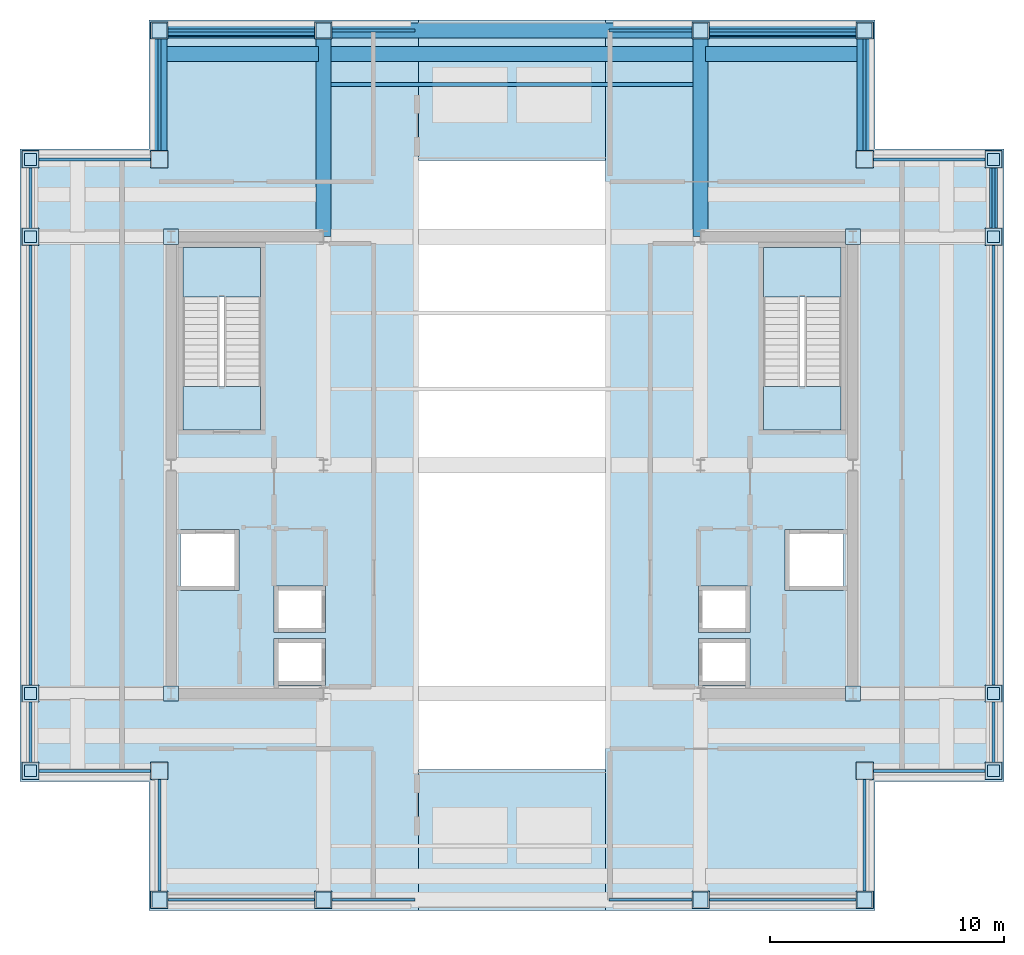
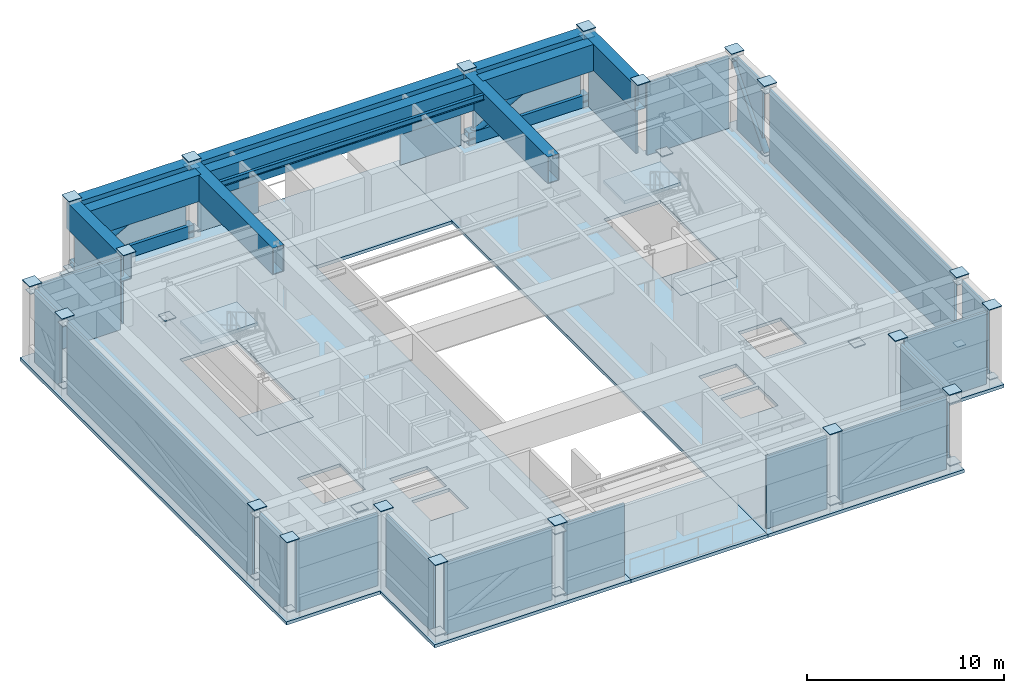
# One storey, part 2 of 8: 70 plates, 11 beams, 8 slabs, 5 members, 2 elements without a shape of their own.
"""IFC4 building model written with IfcOpenShell, lengths in metres."""

from ifc_helpers import new_model, si_unit, direction, frame, origin, origin_2d, place, context, subcontext, project, spatial, polyline, rectangle, hollow_rectangle, hollow_circle, i_section, outline, extrude, material, layer, layer_set, material_profile, profile_set, type_object, element, aggregate, save


model = new_model("IFC4")

# Units and contexts
model_context = context("Model", 3, precision=1e-05, world=origin(), true_north=direction((0.0, 1.0)))
body_context = subcontext(model_context, "Body", "Model", "MODEL_VIEW")
ifc_project = project(units=[si_unit("LENGTHUNIT", "METRE"), si_unit("AREAUNIT", "SQUARE_METRE"), si_unit("VOLUMEUNIT", "CUBIC_METRE"), si_unit("PLANEANGLEUNIT", "RADIAN"), si_unit("MASSUNIT", "GRAM", prefix="KILO")], contexts=[model_context])

# Site, building, storey
site_placement = place(None, origin())
site = spatial("IfcSite", under=ifc_project, at=site_placement, CompositionType="ELEMENT")
building_placement = place(site_placement, origin())
building = spatial("IfcBuilding", under=site, at=building_placement, Name="Brelmoor Portico Tower", CompositionType="ELEMENT")
storey_placement = place(building_placement, frame((0.0, 0.0, 209.10009765625)))
storey = spatial("IfcBuildingStorey", under=building, at=storey_placement, Name="L55", CompositionType="ELEMENT", Elevation=209.10009765625)

# Beams
ifc_material_1 = material(Name="Steel Q355B", Category="steel")
ifc_material_profile_1 = material_profile(ifc_material_1, i_section(OverallWidth=0.175048828125, OverallDepth=0.35009765625, WebThickness=0.007080078125, FlangeThickness=0.010986328125, at=origin_2d()), Name="HN 350x175x7x11")
ifc_profile_set_1 = profile_set([ifc_material_profile_1], Name="Steel Q355B")
beam_type_1 = type_object("IfcBeamType", Name="BM-JS-350", PredefinedType="JOIST", material=ifc_profile_set_1)
beam_1_placement = place(storey_placement, frame((-7.72509765625, 16.25, 4.4248046875), z_axis=(1.0, 0.0, 0.0), x_axis=(0.0, 1.0, 0.0)))
element("IfcBeam", 1, at=beam_1_placement, inside=storey, type_object=beam_type_1, Name="L55 Secondary Composite Joist JS-C04", PredefinedType="JOIST", context=body_context, shape_type="SweptSolid", body=[
    extrude(i_section(OverallWidth=0.175048828125, OverallDepth=0.35009765625, WebThickness=0.007080078125, FlangeThickness=0.010986328125, at=origin_2d()), origin(), (0.0, 0.0, 1.0), 15.4501953125),
])
ifc_material_profile_2 = material_profile(ifc_material_1, hollow_rectangle(XDim=0.64990234375, YDim=1.639892578125, WallThickness=0.035888671875, at=origin_2d()), Name="BOX 650x1640x36")
ifc_profile_set_2 = profile_set([ifc_material_profile_2], Name="Steel Q355B")
beam_type_2 = type_object("IfcBeamType", Name="BM-TG-Z4", PredefinedType="BEAM", material=ifc_profile_set_2)
beam_2_placement = place(storey_placement, frame((-15.050048828125, 18.550048828125, 3.77978515625), z_axis=(1.0, 0.0, 0.0), x_axis=(0.0, 1.0, 0.0)))
element("IfcBeam", 2, at=beam_2_placement, inside=storey, type_object=beam_type_2, Name="L55 Perimeter Transfer Beam SP-08", PredefinedType="BEAM", context=body_context, shape_type="SweptSolid", body=[
    extrude(hollow_rectangle(XDim=0.64990234375, YDim=1.639892578125, WallThickness=0.035888671875, at=origin_2d()), origin(), (0.0, 0.0, 1.0), 7.0),
])
beam_3_placement = place(storey_placement, frame((-8.050048828125, 18.550048828125, 3.77978515625), z_axis=(1.0, 0.0, 0.0), x_axis=(0.0, 1.0, 0.0)))
element("IfcBeam", 3, at=beam_3_placement, inside=storey, type_object=beam_type_2, Name="L55 Perimeter Transfer Beam SP-09", PredefinedType="BEAM", context=body_context, shape_type="SweptSolid", body=[
    extrude(hollow_rectangle(XDim=0.64990234375, YDim=1.639892578125, WallThickness=0.035888671875, at=origin_2d()), origin(), (0.0, 0.0, 1.0), 16.10009765625),
])
beam_4_placement = place(storey_placement, frame((8.050048828125, 18.550048828125, 3.77978515625), z_axis=(1.0, 0.0, 0.0), x_axis=(0.0, 1.0, 0.0)))
element("IfcBeam", 4, at=beam_4_placement, inside=storey, type_object=beam_type_2, Name="L55 Perimeter Transfer Beam SP-10", PredefinedType="BEAM", context=body_context, shape_type="SweptSolid", body=[
    extrude(hollow_rectangle(XDim=0.64990234375, YDim=1.639892578125, WallThickness=0.035888671875, at=origin_2d()), origin(), (0.0, 0.0, 1.0), 7.0),
])
for number, where, z_axis, x_axis, name in (
    (5, (-15.050048828125, 13.050048828125, 3.77978515625), (0.0, 1.0, 0.0), (-1.0, 0.0, 0.0), "L55 Perimeter Transfer Beam SP-15"),
    (6, (15.050048828125, 13.050048828125, 3.77978515625), (0.0, 1.0, 0.0), (-1.0, 0.0, 0.0), "L55 Perimeter Transfer Beam SP-17"),
):
    element("IfcBeam", number, at=place(storey_placement, frame(where, z_axis=z_axis, x_axis=x_axis)), inside=storey, type_object=beam_type_2, Name=name, PredefinedType="BEAM", context=body_context, shape_type="SweptSolid", body=[
        extrude(hollow_rectangle(XDim=0.64990234375, YDim=1.639892578125, WallThickness=0.035888671875, at=origin_2d()), origin(), (0.0, 0.0, 1.0), 5.5),
    ])
for number, where, z_axis, x_axis, name in (
    (7, (-8.050048828125, 9.75, 3.77978515625), (0.0, 1.0, 0.0), (-1.0, 0.0, 0.0), "L55 Setback Transfer Girder PG-05"),
    (8, (8.050048828125, 9.75, 3.77978515625), (0.0, 1.0, 0.0), (-1.0, 0.0, 0.0), "L55 Setback Transfer Girder PG-08"),
):
    element("IfcBeam", number, at=place(storey_placement, frame(where, z_axis=z_axis, x_axis=x_axis)), inside=storey, type_object=beam_type_2, Name=name, PredefinedType="BEAM", context=body_context, shape_type="SweptSolid", body=[
        extrude(hollow_rectangle(XDim=0.64990234375, YDim=1.639892578125, WallThickness=0.035888671875, at=origin_2d()), origin(), (0.0, 0.0, 1.0), 8.800048828125),
    ])
beam_5_placement = place(storey_placement, frame((-15.050048828125, 17.550048828125, 3.77978515625), z_axis=(1.0, 0.0, 0.0), x_axis=(0.0, 1.0, 0.0)))
element("IfcBeam", 9, at=beam_5_placement, inside=storey, type_object=beam_type_2, Name="L55 Setback Transfer Girder TGN-04", PredefinedType="BEAM", context=body_context, shape_type="SweptSolid", body=[
    extrude(hollow_rectangle(XDim=0.64990234375, YDim=1.639892578125, WallThickness=0.035888671875, at=origin_2d()), origin(), (0.0, 0.0, 1.0), 6.800048828125),
])
beam_6_placement = place(storey_placement, frame((-7.85009765625, 17.550048828125, 3.77978515625), z_axis=(1.0, 0.0, 0.0), x_axis=(0.0, 1.0, 0.0)))
element("IfcBeam", 10, at=beam_6_placement, inside=storey, type_object=beam_type_2, Name="L55 Setback Transfer Girder TGN-05", PredefinedType="BEAM", context=body_context, shape_type="SweptSolid", body=[
    extrude(hollow_rectangle(XDim=0.64990234375, YDim=1.639892578125, WallThickness=0.035888671875, at=origin_2d()), origin(), (0.0, 0.0, 1.0), 15.7001953125),
])
beam_7_placement = place(storey_placement, frame((8.25, 17.550048828125, 3.77978515625), z_axis=(1.0, 0.0, 0.0), x_axis=(0.0, 1.0, 0.0)))
element("IfcBeam", 11, at=beam_7_placement, inside=storey, type_object=beam_type_2, Name="L55 Setback Transfer Girder TGN-06", PredefinedType="BEAM", context=body_context, shape_type="SweptSolid", body=[
    extrude(hollow_rectangle(XDim=0.64990234375, YDim=1.639892578125, WallThickness=0.035888671875, at=origin_2d()), origin(), (0.0, 0.0, 1.0), 6.800048828125),
])

# Members
ifc_material_profile_3 = material_profile(ifc_material_1, hollow_rectangle(XDim=0.5, YDim=0.75, WallThickness=0.030029296875, at=origin_2d()), Name="RHS 500x750x30")
ifc_profile_set_3 = profile_set([ifc_material_profile_3], Name="Steel Q355B")
member_type_1 = type_object("IfcMemberType", Name="MB-BELT-CHORD", PredefinedType="CHORD", material=ifc_profile_set_3)
for number, where, z_axis, x_axis, name in (
    (12, (-15.050048828125, 18.550048828125, 0.39990234375), (1.0, 0.0, 0.0), (0.0, 1.0, 0.0), "L55 Belt Truss Bottom Chord BC-03"),
    (13, (8.050048828125, 18.550048828125, 0.39990234375), (1.0, 0.0, 0.0), (0.0, 1.0, 0.0), "L55 Belt Truss Bottom Chord BC-04"),
):
    element("IfcMember", number, at=place(storey_placement, frame(where, z_axis=z_axis, x_axis=x_axis)), inside=storey, type_object=member_type_1, Name=name, PredefinedType="CHORD", context=body_context, shape_type="SweptSolid", body=[
        extrude(hollow_rectangle(XDim=0.5, YDim=0.75, WallThickness=0.030029296875, at=origin_2d()), origin(), (0.0, 0.0, 1.0), 7.0),
    ])
ifc_material_profile_4 = material_profile(ifc_material_1, hollow_circle(Radius=0.212890625, WallThickness=0.02001953125, at=origin_2d()), Name="CHS 426x20")
ifc_profile_set_4 = profile_set([ifc_material_profile_4], Name="Steel Q355B")
member_type_2 = type_object("IfcMemberType", Name="MB-BELT-DIAG1", PredefinedType="BRACE", material=ifc_profile_set_4)
for number, where, z_axis, x_axis, name in (
    (14, (-15.050048828125, 18.550048828125, 0.39990234375), (0.876210746893, 0.0, 0.481928134714), (0.0, 1.0, 0.0), "L55 Belt Truss Diagonal BT-03A"),
    (15, (8.050048828125, 18.550048828125, 0.39990234375), (0.876210746893, 0.0, 0.481928134714), (0.0, 1.0, 0.0), "L55 Belt Truss Diagonal BT-04A"),
):
    element("IfcMember", number, at=place(storey_placement, frame(where, z_axis=z_axis, x_axis=x_axis)), inside=storey, type_object=member_type_2, Name=name, PredefinedType="BRACE", context=body_context, shape_type="SweptSolid", body=[
        extrude(hollow_circle(Radius=0.212890625, WallThickness=0.02001953125, at=origin_2d()), origin(), (0.0, 0.0, 1.0), 7.989013671875),
    ])
ifc_material_profile_5 = material_profile(ifc_material_1, hollow_circle(Radius=0.177978515625, WallThickness=0.01611328125, at=origin_2d()), Name="CHS 356x16")
ifc_profile_set_5 = profile_set([ifc_material_profile_5], Name="Steel Q355B")
member_type_3 = type_object("IfcMemberType", Name="MB-BELT-DIAG2", PredefinedType="BRACE", material=ifc_profile_set_5)
member_placement = place(storey_placement, frame((20.550048828125, 9.75, 0.39990234375), z_axis=(0.0, 0.650787408495, 0.759260000885), x_axis=(-1.0, 0.0, 0.0)))
element("IfcMember", 16, at=member_placement, inside=storey, type_object=member_type_3, Name="L55 Belt Truss Diagonal BT-10B", PredefinedType="BRACE", context=body_context, shape_type="SweptSolid", body=[
    extrude(hollow_circle(Radius=0.177978515625, WallThickness=0.01611328125, at=origin_2d()), origin(), (0.0, 0.0, 1.0), 5.07080078125),
])

# Plates
ifc_layer_1 = layer(ifc_material_1, 0.035888671875)
ifc_layer_set_1 = layer_set([ifc_layer_1], Name="Steel Q355B")
plate_type_1 = type_object("IfcPlateType", Name="PT-CAP-500", PredefinedType="SHEET", material=ifc_layer_set_1)
for number, where, z_axis, x_axis, name in (
    (17, (-20.550048828125, -13.050048828125, 0.3818359375), (0.0, 0.0, 1.0), (1.0, 0.0, 0.0), "L55 Belt Truss Diagonal BT-05B Joint Cap Plate 1"),
    (18, (-20.550048828125, -9.75, 4.23193359375), (0.0, 0.0, 1.0), (1.0, 0.0, 0.0), "L55 Belt Truss Diagonal BT-05B Joint Cap Plate 2"),
    (19, (-20.550048828125, -9.75, 0.3818359375), (0.0, 0.0, 1.0), (1.0, 0.0, 0.0), "L55 Belt Truss Diagonal BT-06B Joint Cap Plate 1"),
    (20, (-20.550048828125, 9.75, 4.23193359375), (0.0, 0.0, 1.0), (1.0, 0.0, 0.0), "L55 Belt Truss Diagonal BT-06B Joint Cap Plate 2"),
    (21, (-20.550048828125, 9.75, 0.3818359375), (0.0, 0.0, 1.0), (1.0, 0.0, 0.0), "L55 Belt Truss Diagonal BT-07B Joint Cap Plate 1"),
    (22, (-20.550048828125, 13.050048828125, 4.23193359375), (0.0, 0.0, 1.0), (1.0, 0.0, 0.0), "L55 Belt Truss Diagonal BT-07B Joint Cap Plate 2"),
    (23, (20.550048828125, -13.050048828125, 0.3818359375), (0.0, 0.0, 1.0), (1.0, 0.0, 0.0), "L55 Belt Truss Diagonal BT-08B Joint Cap Plate 1"),
    (24, (20.550048828125, -9.75, 4.23193359375), (0.0, 0.0, 1.0), (1.0, 0.0, 0.0), "L55 Belt Truss Diagonal BT-08B Joint Cap Plate 2"),
    (25, (20.550048828125, -9.75, 0.3818359375), (0.0, 0.0, 1.0), (1.0, 0.0, 0.0), "L55 Belt Truss Diagonal BT-09B Joint Cap Plate 1"),
    (26, (20.550048828125, 9.75, 4.23193359375), (0.0, 0.0, 1.0), (1.0, 0.0, 0.0), "L55 Belt Truss Diagonal BT-09B Joint Cap Plate 2"),
    (27, (20.550048828125, 9.75, 0.3818359375), (0.0, 0.0, 1.0), (1.0, 0.0, 0.0), "L55 Belt Truss Diagonal BT-10B Joint Cap Plate 1"),
    (28, (20.550048828125, 13.050048828125, 4.23193359375), (0.0, 0.0, 1.0), (1.0, 0.0, 0.0), "L55 Belt Truss Diagonal BT-10B Joint Cap Plate 2"),
):
    element("IfcPlate", number, at=place(storey_placement, frame(where, z_axis=z_axis, x_axis=x_axis)), inside=storey, type_object=plate_type_1, Name=name, PredefinedType="SHEET", context=body_context, shape_type="SweptSolid", body=[
        extrude(rectangle(XDim=0.5, YDim=0.5, at=origin_2d()), origin(), (0.0, 0.0, 1.0), 0.035888671875),
    ])
ifc_layer_2 = layer(ifc_material_1, 0.044921875)
ifc_layer_set_2 = layer_set([ifc_layer_2], Name="Steel Q355B")
plate_type_2 = type_object("IfcPlateType", Name="PT-CAP-650", PredefinedType="SHEET", material=ifc_layer_set_2)
for number, where, z_axis, x_axis, name in (
    (29, (-15.050048828125, -18.550048828125, 4.7998046875), (0.0, 0.0, 1.0), (1.0, 0.0, 0.0), "L55 Perimeter Mega-Column PS01 Welded Head Cap Plate"),
    (30, (-8.050048828125, -18.550048828125, 4.7998046875), (0.0, 0.0, 1.0), (1.0, 0.0, 0.0), "L55 Perimeter Mega-Column PS02 Welded Head Cap Plate"),
    (31, (8.050048828125, -18.550048828125, 4.7998046875), (0.0, 0.0, 1.0), (1.0, 0.0, 0.0), "L55 Perimeter Mega-Column PS03 Welded Head Cap Plate"),
    (32, (15.050048828125, -18.550048828125, 4.7998046875), (0.0, 0.0, 1.0), (1.0, 0.0, 0.0), "L55 Perimeter Mega-Column PS04 Welded Head Cap Plate"),
    (33, (-15.050048828125, 18.550048828125, 4.7998046875), (0.0, 0.0, 1.0), (1.0, 0.0, 0.0), "L55 Perimeter Mega-Column PN01 Welded Head Cap Plate"),
    (34, (-8.050048828125, 18.550048828125, 4.7998046875), (0.0, 0.0, 1.0), (1.0, 0.0, 0.0), "L55 Perimeter Mega-Column PN02 Welded Head Cap Plate"),
    (35, (8.050048828125, 18.550048828125, 4.7998046875), (0.0, 0.0, 1.0), (1.0, 0.0, 0.0), "L55 Perimeter Mega-Column PN03 Welded Head Cap Plate"),
    (36, (15.050048828125, 18.550048828125, 4.7998046875), (0.0, 0.0, 1.0), (1.0, 0.0, 0.0), "L55 Perimeter Mega-Column PN04 Welded Head Cap Plate"),
    (37, (-20.550048828125, -13.050048828125, 4.7998046875), (0.0, 0.0, 1.0), (0.0, 1.0, 0.0), "L55 Perimeter Mega-Column PW01 Welded Head Cap Plate"),
    (38, (-20.550048828125, -9.75, 4.7998046875), (0.0, 0.0, 1.0), (0.0, 1.0, 0.0), "L55 Perimeter Mega-Column PW02 Welded Head Cap Plate"),
    (39, (-20.550048828125, 9.75, 4.7998046875), (0.0, 0.0, 1.0), (0.0, 1.0, 0.0), "L55 Perimeter Mega-Column PW03 Welded Head Cap Plate"),
    (40, (-20.550048828125, 13.050048828125, 4.7998046875), (0.0, 0.0, 1.0), (0.0, 1.0, 0.0), "L55 Perimeter Mega-Column PW04 Welded Head Cap Plate"),
    (41, (20.550048828125, -13.050048828125, 4.7998046875), (0.0, 0.0, 1.0), (0.0, 1.0, 0.0), "L55 Perimeter Mega-Column PE01 Welded Head Cap Plate"),
    (42, (20.550048828125, -9.75, 4.7998046875), (0.0, 0.0, 1.0), (0.0, 1.0, 0.0), "L55 Perimeter Mega-Column PE02 Welded Head Cap Plate"),
    (43, (20.550048828125, 9.75, 4.7998046875), (0.0, 0.0, 1.0), (0.0, 1.0, 0.0), "L55 Perimeter Mega-Column PE03 Welded Head Cap Plate"),
    (44, (20.550048828125, 13.050048828125, 4.7998046875), (0.0, 0.0, 1.0), (0.0, 1.0, 0.0), "L55 Perimeter Mega-Column PE04 Welded Head Cap Plate"),
    (45, (-15.050048828125, 13.050048828125, 4.7998046875), (0.0, 0.0, 1.0), (1.0, 0.0, 0.0), "L55 Perimeter Mega-Column PC-NW Welded Head Cap Plate"),
    (46, (15.050048828125, 13.050048828125, 4.7998046875), (0.0, 0.0, 1.0), (1.0, 0.0, 0.0), "L55 Perimeter Mega-Column PC-NE Welded Head Cap Plate"),
    (47, (15.050048828125, -13.050048828125, 4.7998046875), (0.0, 0.0, 1.0), (1.0, 0.0, 0.0), "L55 Perimeter Mega-Column PC-SE Welded Head Cap Plate"),
    (48, (-15.050048828125, -13.050048828125, 4.7998046875), (0.0, 0.0, 1.0), (1.0, 0.0, 0.0), "L55 Perimeter Mega-Column PC-SW Welded Head Cap Plate"),
):
    element("IfcPlate", number, at=place(storey_placement, frame(where, z_axis=z_axis, x_axis=x_axis)), inside=storey, type_object=plate_type_2, Name=name, PredefinedType="SHEET", context=body_context, shape_type="SweptSolid", body=[
        extrude(rectangle(XDim=0.739990234375, YDim=0.739990234375, at=origin_2d()), origin(), (0.0, 0.0, 1.0), 0.0400390625),
    ])
for number, where, z_axis, x_axis, name in (
    (49, (-15.050048828125, -18.550048828125, 0.37744140625), (0.0, 0.0, 1.0), (1.0, 0.0, 0.0), "L55 Belt Truss Diagonal BT-01A Joint Cap Plate 1"),
    (50, (-8.050048828125, -18.550048828125, 4.2275390625), (0.0, 0.0, 1.0), (1.0, 0.0, 0.0), "L55 Belt Truss Diagonal BT-01A Joint Cap Plate 2"),
    (51, (-8.050048828125, -18.550048828125, 0.37744140625), (0.0, 0.0, 1.0), (1.0, 0.0, 0.0), "L55 Belt Truss Bottom Chord BC-01 Joint Cap Plate 2"),
    (52, (8.050048828125, -18.550048828125, 0.37744140625), (0.0, 0.0, 1.0), (1.0, 0.0, 0.0), "L55 Belt Truss Diagonal BT-02A Joint Cap Plate 1"),
    (53, (15.050048828125, -18.550048828125, 4.2275390625), (0.0, 0.0, 1.0), (1.0, 0.0, 0.0), "L55 Belt Truss Diagonal BT-02A Joint Cap Plate 2"),
    (54, (15.050048828125, -18.550048828125, 0.37744140625), (0.0, 0.0, 1.0), (1.0, 0.0, 0.0), "L55 Belt Truss Bottom Chord BC-02 Joint Cap Plate 2"),
    (55, (-15.050048828125, 18.550048828125, 0.37744140625), (0.0, 0.0, 1.0), (1.0, 0.0, 0.0), "L55 Belt Truss Diagonal BT-03A Joint Cap Plate 1"),
    (56, (-8.050048828125, 18.550048828125, 4.2275390625), (0.0, 0.0, 1.0), (1.0, 0.0, 0.0), "L55 Belt Truss Diagonal BT-03A Joint Cap Plate 2"),
    (57, (-8.050048828125, 18.550048828125, 0.37744140625), (0.0, 0.0, 1.0), (1.0, 0.0, 0.0), "L55 Belt Truss Bottom Chord BC-03 Joint Cap Plate 2"),
    (58, (8.050048828125, 18.550048828125, 0.37744140625), (0.0, 0.0, 1.0), (1.0, 0.0, 0.0), "L55 Belt Truss Diagonal BT-04A Joint Cap Plate 1"),
    (59, (15.050048828125, 18.550048828125, 4.2275390625), (0.0, 0.0, 1.0), (1.0, 0.0, 0.0), "L55 Belt Truss Diagonal BT-04A Joint Cap Plate 2"),
    (60, (15.050048828125, 18.550048828125, 0.37744140625), (0.0, 0.0, 1.0), (1.0, 0.0, 0.0), "L55 Belt Truss Bottom Chord BC-04 Joint Cap Plate 2"),
    (61, (-14.550048828125, -9.75, 2.52734375), (0.0, 0.0, 1.0), (1.0, 0.0, 0.0), "L55 Outrigger Truss Diagonal OT-01 Joint Cap Plate 1"),
    (62, (14.550048828125, -9.75, 2.52734375), (0.0, 0.0, 1.0), (1.0, 0.0, 0.0), "L55 Outrigger Truss Diagonal OT-02 Joint Cap Plate 1"),
    (63, (-14.550048828125, 9.75, 2.52734375), (0.0, 0.0, 1.0), (1.0, 0.0, 0.0), "L55 Outrigger Truss Diagonal OT-03 Joint Cap Plate 1"),
    (64, (14.550048828125, 9.75, 2.52734375), (0.0, 0.0, 1.0), (1.0, 0.0, 0.0), "L55 Outrigger Truss Diagonal OT-04 Joint Cap Plate 1"),
):
    element("IfcPlate", number, at=place(storey_placement, frame(where, z_axis=z_axis, x_axis=x_axis)), inside=storey, type_object=plate_type_2, Name=name, PredefinedType="SHEET", context=body_context, shape_type="SweptSolid", body=[
        extrude(rectangle(XDim=0.64990234375, YDim=0.64990234375, at=origin_2d()), origin(), (0.0, 0.0, 1.0), 0.044921875),
    ])
ifc_material_2 = material(Name="Pale Champagne Anodised Aluminium Crown Screen", Category="aluminium")
ifc_layer_3 = layer(ifc_material_2, 0.06494140625)
ifc_layer_set_3 = layer_set([ifc_layer_3], Name="Pale Champagne Anodised Aluminium Crown Screen")
plate_type_3 = type_object("IfcPlateType", Name="PT-CROWN-LOUVRE", PredefinedType="SHEET", material=ifc_layer_set_3)
plate_1_placement = place(storey_placement, frame((-11.550048828125, -18.550048828125, 0.059814453125), z_axis=(0.0, 0.0, 1.0), x_axis=(1.0, 0.0, 0.0)))
element("IfcPlate", 65, at=plate_1_placement, inside=storey, type_object=plate_type_3, Name="L55 Plant Acoustic Screen Panel S1-1", PredefinedType="SHEET", context=body_context, shape_type="SweptSolid", body=[
    extrude(rectangle(XDim=6.280029296875, YDim=0.1201171875, at=origin_2d()), origin(), (0.0, 0.0, 1.0), 4.47998046875),
])
for number, where, z_axis, x_axis, name in (
    (66, (-5.919921875, -18.550048828125, 0.059814453125), (0.0, 0.0, 1.0), (1.0, 0.0, 0.0), "L55 Plant Acoustic Screen Panel S1-2"),
    (67, (5.919921875, -18.550048828125, 0.059814453125), (0.0, 0.0, 1.0), (1.0, 0.0, 0.0), "L55 Plant Acoustic Screen Panel S2-1"),
):
    element("IfcPlate", number, at=place(storey_placement, frame(where, z_axis=z_axis, x_axis=x_axis)), inside=storey, type_object=plate_type_3, Name=name, PredefinedType="SHEET", context=body_context, shape_type="SweptSolid", body=[
        extrude(rectangle(XDim=3.5400390625, YDim=0.1201171875, at=origin_2d()), origin(), (0.0, 0.0, 1.0), 4.47998046875),
    ])
for number, where, z_axis, x_axis, name in (
    (68, (11.550048828125, -18.550048828125, 0.059814453125), (0.0, 0.0, 1.0), (1.0, 0.0, 0.0), "L55 Plant Acoustic Screen Panel S2-2"),
    (69, (-11.550048828125, 18.550048828125, 0.059814453125), (0.0, 0.0, 1.0), (1.0, 0.0, 0.0), "L55 Plant Acoustic Screen Panel N1-1"),
):
    element("IfcPlate", number, at=place(storey_placement, frame(where, z_axis=z_axis, x_axis=x_axis)), inside=storey, type_object=plate_type_3, Name=name, PredefinedType="SHEET", context=body_context, shape_type="SweptSolid", body=[
        extrude(rectangle(XDim=6.280029296875, YDim=0.1201171875, at=origin_2d()), origin(), (0.0, 0.0, 1.0), 4.47998046875),
    ])
for number, where, z_axis, x_axis, name in (
    (70, (-5.919921875, 18.550048828125, 0.059814453125), (0.0, 0.0, 1.0), (1.0, 0.0, 0.0), "L55 Plant Acoustic Screen Panel N1-2"),
    (71, (5.919921875, 18.550048828125, 0.059814453125), (0.0, 0.0, 1.0), (1.0, 0.0, 0.0), "L55 Plant Acoustic Screen Panel N2-1"),
):
    element("IfcPlate", number, at=place(storey_placement, frame(where, z_axis=z_axis, x_axis=x_axis)), inside=storey, type_object=plate_type_3, Name=name, PredefinedType="SHEET", context=body_context, shape_type="SweptSolid", body=[
        extrude(rectangle(XDim=3.5400390625, YDim=0.1201171875, at=origin_2d()), origin(), (0.0, 0.0, 1.0), 4.47998046875),
    ])
plate_2_placement = place(storey_placement, frame((11.550048828125, 18.550048828125, 0.059814453125), z_axis=(0.0, 0.0, 1.0), x_axis=(1.0, 0.0, 0.0)))
element("IfcPlate", 72, at=plate_2_placement, inside=storey, type_object=plate_type_3, Name="L55 Plant Acoustic Screen Panel N2-2", PredefinedType="SHEET", context=body_context, shape_type="SweptSolid", body=[
    extrude(rectangle(XDim=6.280029296875, YDim=0.1201171875, at=origin_2d()), origin(), (0.0, 0.0, 1.0), 4.47998046875),
])
plate_3_placement = place(storey_placement, frame((-20.550048828125, -11.39990234375, 0.059814453125), z_axis=(0.0, 0.0, 1.0), x_axis=(0.0, 1.0, 0.0)))
element("IfcPlate", 73, at=plate_3_placement, inside=storey, type_object=plate_type_3, Name="L55 Plant Acoustic Screen Panel W-1", PredefinedType="SHEET", context=body_context, shape_type="SweptSolid", body=[
    extrude(rectangle(XDim=2.580078125, YDim=0.1201171875, at=origin_2d()), origin(), (0.0, 0.0, 1.0), 4.47998046875),
])
plate_4_placement = place(storey_placement, frame((-20.550048828125, 0.0, 0.059814453125), z_axis=(0.0, 0.0, 1.0), x_axis=(0.0, 1.0, 0.0)))
element("IfcPlate", 74, at=plate_4_placement, inside=storey, type_object=plate_type_3, Name="L55 Plant Acoustic Screen Panel W-2", PredefinedType="SHEET", context=body_context, shape_type="SweptSolid", body=[
    extrude(rectangle(XDim=18.780029296875, YDim=0.1201171875, at=origin_2d()), origin(), (0.0, 0.0, 1.0), 4.47998046875),
])
for number, where, z_axis, x_axis, name in (
    (75, (-20.550048828125, 11.39990234375, 0.059814453125), (0.0, 0.0, 1.0), (0.0, 1.0, 0.0), "L55 Plant Acoustic Screen Panel W-3"),
    (76, (20.550048828125, -11.39990234375, 0.059814453125), (0.0, 0.0, 1.0), (0.0, 1.0, 0.0), "L55 Plant Acoustic Screen Panel E-1"),
):
    element("IfcPlate", number, at=place(storey_placement, frame(where, z_axis=z_axis, x_axis=x_axis)), inside=storey, type_object=plate_type_3, Name=name, PredefinedType="SHEET", context=body_context, shape_type="SweptSolid", body=[
        extrude(rectangle(XDim=2.580078125, YDim=0.1201171875, at=origin_2d()), origin(), (0.0, 0.0, 1.0), 4.47998046875),
    ])
plate_5_placement = place(storey_placement, frame((20.550048828125, 0.0, 0.059814453125), z_axis=(0.0, 0.0, 1.0), x_axis=(0.0, 1.0, 0.0)))
element("IfcPlate", 77, at=plate_5_placement, inside=storey, type_object=plate_type_3, Name="L55 Plant Acoustic Screen Panel E-2", PredefinedType="SHEET", context=body_context, shape_type="SweptSolid", body=[
    extrude(rectangle(XDim=18.780029296875, YDim=0.1201171875, at=origin_2d()), origin(), (0.0, 0.0, 1.0), 4.47998046875),
])
plate_6_placement = place(storey_placement, frame((20.550048828125, 11.39990234375, 0.059814453125), z_axis=(0.0, 0.0, 1.0), x_axis=(0.0, 1.0, 0.0)))
element("IfcPlate", 78, at=plate_6_placement, inside=storey, type_object=plate_type_3, Name="L55 Plant Acoustic Screen Panel E-3", PredefinedType="SHEET", context=body_context, shape_type="SweptSolid", body=[
    extrude(rectangle(XDim=2.580078125, YDim=0.1201171875, at=origin_2d()), origin(), (0.0, 0.0, 1.0), 4.47998046875),
])
for number, where, z_axis, x_axis, name in (
    (79, (-15.050048828125, -15.800048828125, 0.059814453125), (0.0, 0.0, 1.0), (0.0, 1.0, 0.0), "L55 Plant Acoustic Screen Panel SW1-1"),
    (80, (-17.800048828125, -13.050048828125, 0.059814453125), (0.0, 0.0, 1.0), (1.0, 0.0, 0.0), "L55 Plant Acoustic Screen Panel SW2-1"),
    (81, (15.050048828125, -15.800048828125, 0.059814453125), (0.0, 0.0, 1.0), (0.0, 1.0, 0.0), "L55 Plant Acoustic Screen Panel SE1-1"),
    (82, (17.800048828125, -13.050048828125, 0.059814453125), (0.0, 0.0, 1.0), (1.0, 0.0, 0.0), "L55 Plant Acoustic Screen Panel SE2-1"),
    (83, (-15.050048828125, 15.800048828125, 0.059814453125), (0.0, 0.0, 1.0), (0.0, 1.0, 0.0), "L55 Plant Acoustic Screen Panel NW1-1"),
    (84, (-17.800048828125, 13.050048828125, 0.059814453125), (0.0, 0.0, 1.0), (1.0, 0.0, 0.0), "L55 Plant Acoustic Screen Panel NW2-1"),
    (85, (15.050048828125, 15.800048828125, 0.059814453125), (0.0, 0.0, 1.0), (0.0, 1.0, 0.0), "L55 Plant Acoustic Screen Panel NE1-1"),
    (86, (17.800048828125, 13.050048828125, 0.059814453125), (0.0, 0.0, 1.0), (1.0, 0.0, 0.0), "L55 Plant Acoustic Screen Panel NE2-1"),
):
    element("IfcPlate", number, at=place(storey_placement, frame(where, z_axis=z_axis, x_axis=x_axis)), inside=storey, type_object=plate_type_3, Name=name, PredefinedType="SHEET", context=body_context, shape_type="SweptSolid", body=[
        extrude(rectangle(XDim=4.780029296875, YDim=0.1201171875, at=origin_2d()), origin(), (0.0, 0.0, 1.0), 4.47998046875),
    ])

# Slabs
ifc_material_3 = material(Name="Concrete C40", Category="concrete")
ifc_layer_4 = layer(ifc_material_3, 0.199951171875)
ifc_layer_set_4 = layer_set([ifc_layer_4], Name="Concrete C40")
slab_type_1 = type_object("IfcSlabType", Name="SL-BALCONY-200", PredefinedType="FLOOR", material=ifc_layer_set_4)
slab_1_placement = place(storey_placement, frame((0.0, 0.0, -0.2001953125)))
element("IfcSlab", 87, at=slab_1_placement, inside=storey, type_object=slab_type_1, Name="L55 South Wind-Turbine Deck Slab", PredefinedType="FLOOR", context=body_context, shape_type="SweptSolid", body=[
    extrude(outline(polyline([(-4.0, -19.0), (4.0, -19.0), (4.0, -13.0), (-4.0, -13.0), (-4.0, -19.0)])), origin(), (0.0, 0.0, 1.0), 0.2001953125),
])
slab_2_placement = place(storey_placement, frame((0.0, 0.0, -0.2001953125)))
element("IfcSlab", 88, at=slab_2_placement, inside=storey, type_object=slab_type_1, Name="L55 North Wind-Turbine Deck Slab", PredefinedType="FLOOR", context=body_context, shape_type="SweptSolid", body=[
    extrude(outline(polyline([(-4.0, 13.0), (4.0, 13.0), (4.0, 19.0), (-4.0, 19.0), (-4.0, 13.0)])), origin(), (0.0, 0.0, 1.0), 0.2001953125),
])
ifc_layer_5 = layer(ifc_material_3, 0.199951171875)
ifc_layer_set_5 = layer_set([ifc_layer_5], Name="Concrete C40")
slab_type_2 = type_object("IfcSlabType", Name="SL-FLOOR-200", PredefinedType="FLOOR", material=ifc_layer_set_5)
slab_3_placement = place(storey_placement, frame((0.0, 0.0, -0.2001953125)))
element("IfcSlab", 89, at=slab_3_placement, inside=storey, type_object=slab_type_2, Name="L55 West Refuge and Plant Wing Floor Slab", PredefinedType="FLOOR", context=body_context, shape_type="SweptSolid", body=[
    extrude(outline(polyline([(-15.5, -19.0), (-4.0, -19.0), (-4.0, 19.0), (-15.5, 19.0), (-15.5, 13.5), (-21.0, 13.5), (-21.0, -13.5), (-15.5, -13.5), (-15.5, -19.0)]), holes=[polyline([(-10.72998046875, 1.5), (-10.72998046875, 9.300048828125), (-14.050048828125, 9.300048828125), (-14.050048828125, 1.5), (-10.72998046875, 1.5)]), polyline([(-10.14990234375, -9.39990234375), (-7.949951171875, -9.39990234375), (-7.949951171875, -7.39990234375), (-10.14990234375, -7.39990234375), (-10.14990234375, -9.39990234375)]), polyline([(-10.14990234375, -7.14990234375), (-7.949951171875, -7.14990234375), (-7.949951171875, -5.14990234375), (-10.14990234375, -5.14990234375), (-10.14990234375, -7.14990234375)]), polyline([(-14.14990234375, -5.35009765625), (-11.64990234375, -5.35009765625), (-11.64990234375, -2.75), (-14.14990234375, -2.75), (-14.14990234375, -5.35009765625)])]), origin(), (0.0, 0.0, 1.0), 0.2001953125),
])
slab_4_placement = place(storey_placement, frame((0.0, 0.0, -0.2001953125)))
element("IfcSlab", 90, at=slab_4_placement, inside=storey, type_object=slab_type_2, Name="L55 East Refuge and Plant Wing Floor Slab", PredefinedType="FLOOR", context=body_context, shape_type="SweptSolid", body=[
    extrude(outline(polyline([(4.0, -19.0), (15.5, -19.0), (15.5, -13.5), (21.0, -13.5), (21.0, 13.5), (15.5, 13.5), (15.5, 19.0), (4.0, 19.0), (4.0, -19.0)]), holes=[polyline([(14.050048828125, 1.5), (14.050048828125, 9.300048828125), (10.72998046875, 9.300048828125), (10.72998046875, 1.5), (14.050048828125, 1.5)]), polyline([(7.949951171875, -9.39990234375), (10.14990234375, -9.39990234375), (10.14990234375, -7.39990234375), (7.949951171875, -7.39990234375), (7.949951171875, -9.39990234375)]), polyline([(7.949951171875, -7.14990234375), (10.14990234375, -7.14990234375), (10.14990234375, -5.14990234375), (7.949951171875, -5.14990234375), (7.949951171875, -7.14990234375)]), polyline([(11.64990234375, -5.35009765625), (14.14990234375, -5.35009765625), (14.14990234375, -2.75), (11.64990234375, -2.75), (11.64990234375, -5.35009765625)])]), origin(), (0.0, 0.0, 1.0), 0.2001953125),
])

# Stair, slab
stair_type_1 = type_object("IfcStairType", Name="ST-CORE-W", PredefinedType="HALF_TURN_STAIR", material=ifc_material_3)
stair_1_placement = place(storey_placement, origin())
stair_1 = element("IfcStair", 91, at=stair_1_placement, inside=storey, type_object=stair_type_1, Name="L55 Protected Core Exit Stair ST-W", PredefinedType="HALF_TURN_STAIR")
ifc_layer_6 = layer(ifc_material_3, 0.179931640625)
ifc_layer_set_6 = layer_set([ifc_layer_6], Name="Concrete C40")
slab_type_3 = type_object("IfcSlabType", Name="SL-LANDING-180", PredefinedType="LANDING", material=ifc_layer_set_6)
slab_5_placement = place(storey_placement, frame((0.0, 0.0, 2.199951171875)))
slab_5 = element("IfcSlab", 92, at=slab_5_placement, type_object=slab_type_3, Name="ST-W landing 1", PredefinedType="LANDING", context=body_context, shape_type="SweptSolid", body=[
    extrude(outline(polyline([(-10.72998046875, 7.18505859375), (-10.72998046875, 9.300048828125), (-14.050048828125, 9.300048828125), (-14.050048828125, 7.18505859375), (-10.72998046875, 7.18505859375)])), origin(), (0.0, 0.0, 1.0), 0.199951171875),
])
aggregate(stair_1, [slab_5])

stair_type_2 = type_object("IfcStairType", Name="ST-CORE-E", PredefinedType="HALF_TURN_STAIR", material=ifc_material_3)
stair_2_placement = place(storey_placement, origin())
stair_2 = element("IfcStair", 93, at=stair_2_placement, inside=storey, type_object=stair_type_2, Name="L55 Protected Core Exit Stair ST-E", PredefinedType="HALF_TURN_STAIR")
slab_6_placement = place(storey_placement, frame((0.0, 0.0, 2.199951171875)))
slab_6 = element("IfcSlab", 94, at=slab_6_placement, type_object=slab_type_3, Name="ST-E landing 1", PredefinedType="LANDING", context=body_context, shape_type="SweptSolid", body=[
    extrude(outline(polyline([(14.050048828125, 7.18505859375), (14.050048828125, 9.300048828125), (10.72998046875, 9.300048828125), (10.72998046875, 7.18505859375), (14.050048828125, 7.18505859375)])), origin(), (0.0, 0.0, 1.0), 0.199951171875),
])
aggregate(stair_2, [slab_6])

# Slabs
ifc_layer_7 = layer(ifc_material_3, 0.199951171875)
ifc_layer_set_7 = layer_set([ifc_layer_7], Name="Concrete C40")
slab_type_4 = type_object("IfcSlabType", Name="SL-STAIR-FL200", PredefinedType="LANDING", material=ifc_layer_set_7)
slab_7_placement = place(storey_placement, frame((0.0, 0.0, -0.2001953125)))
element("IfcSlab", 95, at=slab_7_placement, inside=storey, type_object=slab_type_4, Name="L55 ST-W Structural Floor Landing Slab", PredefinedType="LANDING", context=body_context, shape_type="SweptSolid", body=[
    extrude(outline(polyline([(-10.72998046875, 1.5), (-10.72998046875, 3.35009765625), (-14.050048828125, 3.35009765625), (-14.050048828125, 1.5), (-10.72998046875, 1.5)])), origin(), (0.0, 0.0, 1.0), 0.2001953125),
])
slab_8_placement = place(storey_placement, frame((0.0, 0.0, -0.2001953125)))
element("IfcSlab", 96, at=slab_8_placement, inside=storey, type_object=slab_type_4, Name="L55 ST-E Structural Floor Landing Slab", PredefinedType="LANDING", context=body_context, shape_type="SweptSolid", body=[
    extrude(outline(polyline([(14.050048828125, 1.5), (14.050048828125, 3.35009765625), (10.72998046875, 3.35009765625), (10.72998046875, 1.5), (14.050048828125, 1.5)])), origin(), (0.0, 0.0, 1.0), 0.2001953125),
])

save(model, "model.ifc")
